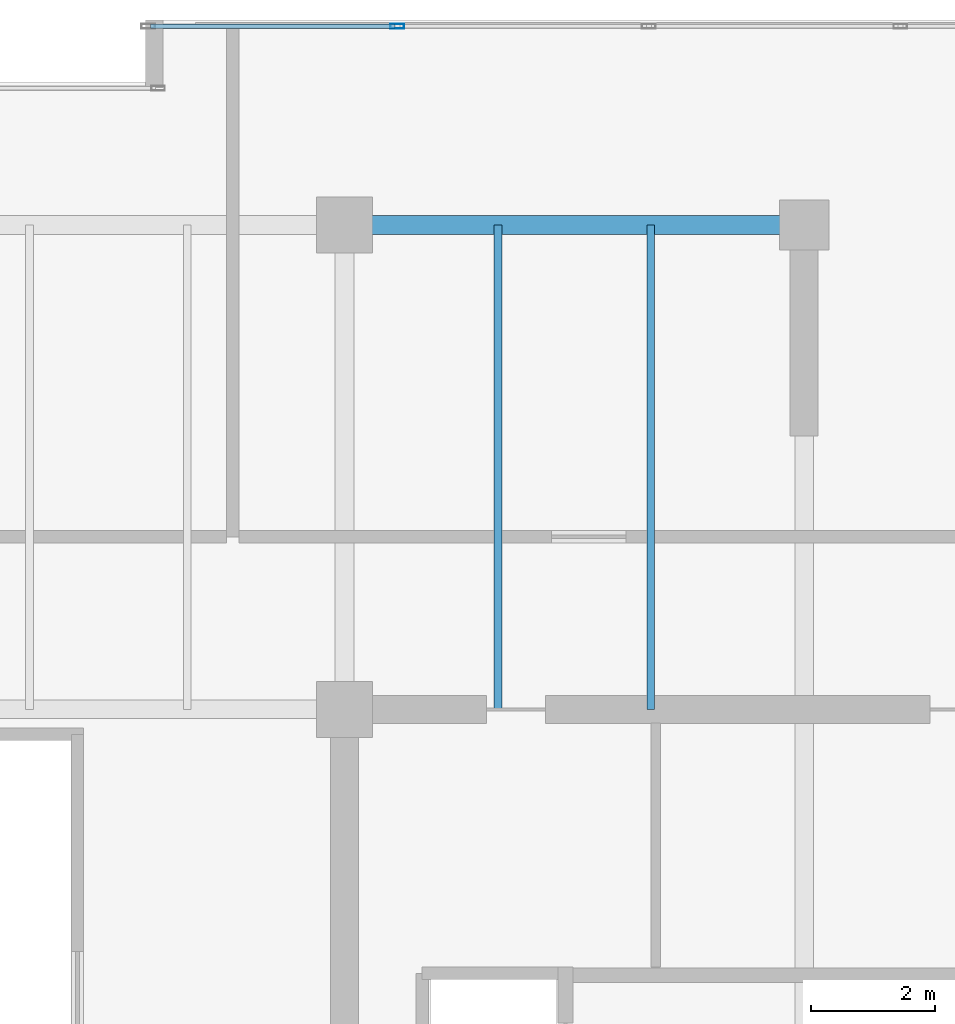
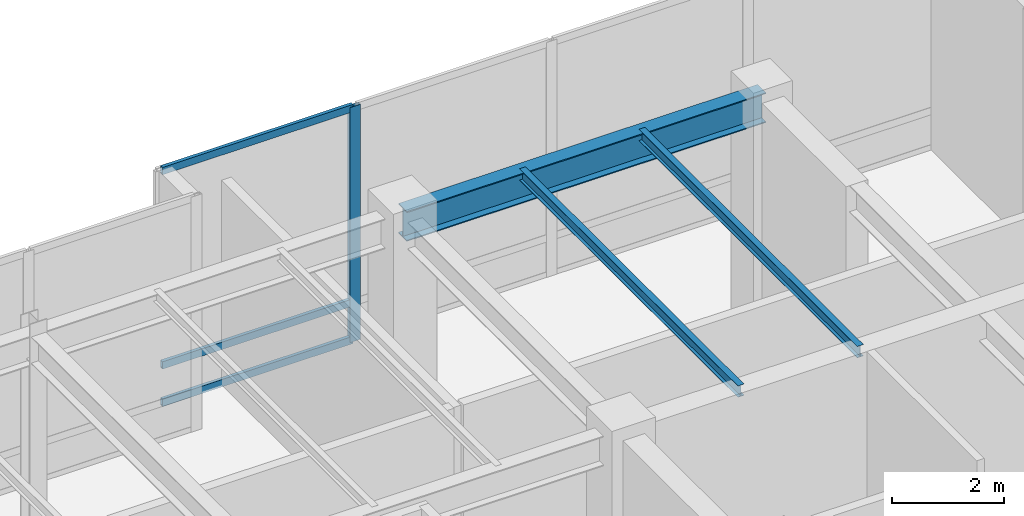
# One storey, part 21 of 30: 4 members, 3 beams, 1 element without a shape of its own.
"""IFC4 building model written with IfcOpenShell, lengths in metres."""

import ifcopenshell
import ifcopenshell.guid

model = None  # the IFC model being written
_history = None  # IfcOwnerHistory: only IFC2X3 demands one
_inside = {}  # id of a spatial element -> (the spatial element, [elements in it])
_under = {}  # id of a project, library or spatial element -> (it, [spatial elements below it])
_declared = {}  # id of a project -> (the project, [libraries it declares])
_typed = {}  # id of a type object -> (the type object, [elements of that type])
_made_of = {}  # id of a material, layer set ... -> (it, [elements and type objects made of it])


def new_model(schema):
    """Start an empty IFC model of exactly this schema.

    Asked for "IFC4X3", IfcOpenShell would pick the latest addendum, in which some entities
    have other attributes; the version numbers below select the first issue.
    IFC2X3 requires an IfcOwnerHistory on every rooted entity: one is made here for all.
    """
    global model, _history
    if schema == "IFC4X3":
        model = ifcopenshell.file(schema_version=(4, 3, 0, 0))
    else:
        model = ifcopenshell.file(schema=schema)
    _inside.clear()
    _under.clear()
    _declared.clear()
    _typed.clear()
    _made_of.clear()
    _history = None
    if model.schema == "IFC2X3":
        org = make("IfcOrganization", Name="unknown")
        user = make(
            "IfcPersonAndOrganization",
            ThePerson=make("IfcPerson", FamilyName="unknown"),
            TheOrganization=org,
        )
        app = make(
            "IfcApplication",
            ApplicationDeveloper=org,
            Version="unknown",
            ApplicationFullName="unknown",
            ApplicationIdentifier="unknown",
        )
        _history = make(
            "IfcOwnerHistory",
            OwningUser=user,
            OwningApplication=app,
            ChangeAction="ADDED",
            CreationDate=0,
        )
    return model


def make(cls, **values):
    """One entity of the class cls with the attributes given. An attribute that is None is left unset."""
    return model.create_entity(
        cls, **{name: value for name, value in values.items() if value is not None}
    )


def rooted(cls, **values):
    """An entity with a GlobalId (a new one), such as an element, a storey or a relation."""
    return make(cls, GlobalId=ifcopenshell.guid.new(), OwnerHistory=_history, **values)


def si_unit(unit_type, name, prefix=None):
    """IfcSIUnit, for example si_unit("LENGTHUNIT", "METRE", prefix="MILLI")."""
    return make("IfcSIUnit", UnitType=unit_type, Prefix=prefix, Name=name)


def assignment(units):
    """IfcUnitAssignment: the units of a project."""
    return None if units is None else make("IfcUnitAssignment", Units=units)


def point(xyz):
    """IfcCartesianPoint."""
    return None if xyz is None else make("IfcCartesianPoint", Coordinates=xyz)


def direction(xyz):
    """IfcDirection."""
    return None if xyz is None else make("IfcDirection", DirectionRatios=xyz)


def frame(location, z_axis=None, x_axis=None):
    """IfcAxis2Placement3D, a coordinate frame: its origin and axes. An axis left out is left unset."""
    return make(
        "IfcAxis2Placement3D",
        Location=point(location),
        Axis=direction(z_axis),
        RefDirection=direction(x_axis),
    )


def frame_2d(location, x_axis=None):
    """IfcAxis2Placement2D, a coordinate frame in the plane: its origin and x axis."""
    return make(
        "IfcAxis2Placement2D", Location=point(location), RefDirection=direction(x_axis)
    )


def origin():
    """The frame at (0, 0, 0) with its axes left unset."""
    return frame((0.0, 0.0, 0.0))


def origin_2d():
    """The frame at (0, 0) in the plane with its x axis left unset."""
    return frame_2d((0.0, 0.0))


def place(relative_to, where):
    """IfcLocalPlacement: puts the frame where relative to a parent placement (None: the world)."""
    return make(
        "IfcLocalPlacement", PlacementRelTo=relative_to, RelativePlacement=where
    )


def context(
    kind, dimensions, precision=None, world=None, true_north=None, identifier=None
):
    """IfcGeometricRepresentationContext, for example the 3D "Model" context."""
    return make(
        "IfcGeometricRepresentationContext",
        ContextIdentifier=identifier,
        ContextType=kind,
        CoordinateSpaceDimension=dimensions,
        Precision=precision,
        WorldCoordinateSystem=world,
        TrueNorth=true_north,
    )


def subcontext(parent, identifier, kind, view, scale=None):
    """IfcGeometricRepresentationSubContext, for example "Body" below "Model"."""
    return make(
        "IfcGeometricRepresentationSubContext",
        ContextIdentifier=identifier,
        ContextType=kind,
        ParentContext=parent,
        TargetScale=scale,
        TargetView=view,
    )


def project(units=None, contexts=None):
    """IfcProject with its units and contexts."""
    return rooted(
        "IfcProject",
        Name="project",
        RepresentationContexts=contexts,
        UnitsInContext=assignment(units),
    )


def spatial(cls, under=None, at=None, **own):
    """A site, building, storey or space (cls), placed at a placement, below another one or the project."""
    s = rooted(cls, ObjectPlacement=at, **own)
    if under is not None:
        _under.setdefault(under.id(), (under, []))[1].append(s)
    return s


def profile(cls, at=None, kind="AREA", **sizes):
    """A parametric profile (cls). Its sizes go by their IFC names, for example OverallWidth=200.0."""
    return make(cls, ProfileType=kind, Position=at, **sizes)


def hollow_rectangle(**sizes):
    """IfcRectangleHollowProfileDef."""
    return profile("IfcRectangleHollowProfileDef", **sizes)


def i_section(**sizes):
    """IfcIShapeProfileDef."""
    return profile("IfcIShapeProfileDef", **sizes)


def extrude(swept, where, along, depth):
    """IfcExtrudedAreaSolid: the profile swept, set in the frame where, extruded along a direction by depth."""
    return make(
        "IfcExtrudedAreaSolid",
        SweptArea=swept,
        Position=where,
        ExtrudedDirection=direction(along),
        Depth=depth,
    )


def shape(context_of_items, identifier, shape_type, items):
    """IfcShapeRepresentation: the items that make up one representation, for example the "Body"."""
    return make(
        "IfcShapeRepresentation",
        ContextOfItems=context_of_items,
        RepresentationIdentifier=identifier,
        RepresentationType=shape_type,
        Items=items,
    )


def source(mapping_origin, context_of_items, identifier, shape_type, items):
    """IfcRepresentationMap: a shape defined once, which mapped items show again and again."""
    return make(
        "IfcRepresentationMap",
        MappingOrigin=mapping_origin,
        MappedRepresentation=shape(context_of_items, identifier, shape_type, items),
    )


def transform(
    local_origin,
    x_axis=None,
    y_axis=None,
    z_axis=None,
    scale=None,
    scale2=None,
    scale3=None,
    uniform=True,
):
    """IfcCartesianTransformationOperator3D, or its non-uniform kind. x_axis, y_axis, z_axis: its Axis1, 2, 3."""
    if uniform:
        return make(
            "IfcCartesianTransformationOperator3D",
            Axis1=direction(x_axis),
            Axis2=direction(y_axis),
            LocalOrigin=point(local_origin),
            Scale=scale,
            Axis3=direction(z_axis),
        )
    return make(
        "IfcCartesianTransformationOperator3DnonUniform",
        Axis1=direction(x_axis),
        Axis2=direction(y_axis),
        LocalOrigin=point(local_origin),
        Scale=scale,
        Axis3=direction(z_axis),
        Scale2=scale2,
        Scale3=scale3,
    )


def mapped(mapping_source, mapping_target):
    """IfcMappedItem: shows the shape of a source again, moved by a transform."""
    return make(
        "IfcMappedItem", MappingSource=mapping_source, MappingTarget=mapping_target
    )


def material(Name=None, Category=None):
    """IfcMaterial."""
    return make("IfcMaterial", Name=Name, Category=Category)


def layer(
    of_material, thickness, ventilated=None, Name=None, Category=None, Priority=None
):
    """IfcMaterialLayer: one layer of a wall or slab, of a material (None: an air gap)."""
    return make(
        "IfcMaterialLayer",
        Material=of_material,
        LayerThickness=thickness,
        IsVentilated=ventilated,
        Name=Name,
        Category=Category,
        Priority=Priority,
    )


def layer_set(layers, Name=None):
    """IfcMaterialLayerSet."""
    return make("IfcMaterialLayerSet", MaterialLayers=layers, LayerSetName=Name)


def material_profile(
    of_material, cross_section, Name=None, Category=None, Priority=None
):
    """IfcMaterialProfile: a cross section and its material."""
    return make(
        "IfcMaterialProfile",
        Name=Name,
        Material=of_material,
        Profile=cross_section,
        Priority=Priority,
        Category=Category,
    )


def profile_set(profiles, Name=None, composite=None):
    """IfcMaterialProfileSet."""
    return make(
        "IfcMaterialProfileSet",
        Name=Name,
        MaterialProfiles=profiles,
        CompositeProfile=composite,
    )


def made_of(thing, what):
    """Note that an element or type object is made of a material, layer set ...; save() writes the relation."""
    if what is not None:
        _made_of.setdefault(what.id(), (what, []))[1].append(thing)
    return thing


def type_object(cls, material=None, **own):
    """A type object (cls), such as IfcWallType, which elements share."""
    return made_of(rooted(cls, **own), material)


def type_shapes(of_type, sources):
    """Give a type object the sources (RepresentationMaps) that its elements show as mapped items."""
    of_type.RepresentationMaps = sources


def element(
    cls,
    number,
    at=None,
    inside=None,
    cuts=None,
    type_object=None,
    material=None,
    context=None,
    identifier="Body",
    shape_type=None,
    held_by="IfcProductDefinitionShape",
    body=None,
    shapes=None,
    **own,
):
    """One element of the class cls, such as IfcWall. Its Tag is "e" and its number.

    at: its placement. inside: the storey or other place that contains it. cuts: it is an
    opening in that element (IfcRelVoidsElement). A single representation is given by context,
    identifier, shape_type and body (its items); several are given by shapes. held_by: the class
    of the entity that holds the representations. save() writes the other relations.
    """
    e = rooted(cls, Tag="e%d" % number, ObjectPlacement=at, **own)
    if body is not None:
        shapes = [shape(context, identifier, shape_type, body)]
    if shapes is not None:
        e.Representation = make(held_by, Representations=shapes)
    if inside is not None:
        _inside.setdefault(inside.id(), (inside, []))[1].append(e)
    if cuts is not None:
        rooted(
            "IfcRelVoidsElement", RelatingBuildingElement=cuts, RelatedOpeningElement=e
        )
    if type_object is not None:
        _typed.setdefault(type_object.id(), (type_object, []))[1].append(e)
    return made_of(e, material)


def aggregate(whole, parts):
    """IfcRelAggregates: a whole, such as a stair, and the parts it consists of."""
    return rooted("IfcRelAggregates", RelatingObject=whole, RelatedObjects=parts)


def save(model, path):
    """Write the relations noted so far, then the file.

    IfcRelAggregates (storeys below a building ...), IfcRelContainedInSpatialStructure (elements
    in a storey), IfcRelDefinesByType, IfcRelAssociatesMaterial and IfcRelDeclares: one each for
    every whole, place, type object, material and project.
    """
    for whole, parts in _under.values():
        aggregate(whole, parts)
    for where, things in _inside.values():
        rooted(
            "IfcRelContainedInSpatialStructure",
            RelatedElements=things,
            RelatingStructure=where,
        )
    for kind, things in _typed.values():
        rooted("IfcRelDefinesByType", RelatedObjects=things, RelatingType=kind)
    for what, things in _made_of.values():
        rooted("IfcRelAssociatesMaterial", RelatedObjects=things, RelatingMaterial=what)
    for by, libraries in _declared.values():
        rooted("IfcRelDeclares", RelatingContext=by, RelatedDefinitions=libraries)
    model.write(path)


model = new_model("IFC4")

# Units and contexts
model_context = context("Model", 3, precision=1e-05, world=origin(), true_north=direction((0.0, 1.0)))
body_context = subcontext(model_context, "Body", "Model", "MODEL_VIEW")
ifc_project = project(units=[si_unit("LENGTHUNIT", "METRE"), si_unit("AREAUNIT", "SQUARE_METRE"), si_unit("VOLUMEUNIT", "CUBIC_METRE"), si_unit("PLANEANGLEUNIT", "RADIAN"), si_unit("MASSUNIT", "GRAM", prefix="KILO")], contexts=[model_context])

# Site, building, storey
site_placement = place(None, origin())
site = spatial("IfcSite", under=ifc_project, at=site_placement, CompositionType="ELEMENT")
building_placement = place(site_placement, origin())
building = spatial("IfcBuilding", under=site, at=building_placement, Name="Haelvirn Gate Laboratories", CompositionType="ELEMENT")
storey_placement = place(building_placement, frame((0.0, 0.0, 327.0)))
storey = spatial("IfcBuildingStorey", under=building, at=storey_placement, Name="L78", CompositionType="ELEMENT", Elevation=327.0)

# Beams
ifc_material_1 = material(Name="Steel SM355", Category="steel")
ifc_material_profile_1 = material_profile(ifc_material_1, i_section(OverallWidth=0.300048828125, OverallDepth=0.64990234375, WebThickness=0.012939453125, FlangeThickness=0.02197265625, at=origin_2d()), Name="H-650x300x13x22")
ifc_profile_set_1 = profile_set([ifc_material_profile_1], Name="Steel SM355")
beam_type_1 = type_object("IfcBeamType", Name="BM-G-650", PredefinedType="BEAM", material=ifc_profile_set_1)
shared_shape_1 = source(origin(), body_context, "Body", "SweptSolid", [
    extrude(i_section(OverallWidth=0.300048828125, OverallDepth=0.64990234375, WebThickness=0.012939453125, FlangeThickness=0.02197265625, at=origin_2d()), origin(), (0.0, 0.0, 1.0), 7.39990234375),
])
type_shapes(beam_type_1, [shared_shape_1])
beam_placement = place(storey_placement, frame((52.60009765625, 41.60009765625, 4.794921875), z_axis=(1.0, 0.0, 0.0), x_axis=(0.0, 1.0, 0.0)))
element("IfcBeam", 1, at=beam_placement, inside=storey, type_object=beam_type_1, Name="L78 Primary Girder Y41.6 (52.6-60.0)", PredefinedType="BEAM", context=body_context, shape_type="MappedRepresentation", body=[
    mapped(shared_shape_1, transform((0.0, 0.0, 0.0), scale=1.0)),
])
ifc_material_profile_2 = material_profile(ifc_material_1, i_section(OverallWidth=0.125, OverallDepth=0.25, WebThickness=0.006103515625, FlangeThickness=0.009033203125, at=origin_2d()), Name="H-250x125x6x9")
ifc_profile_set_2 = profile_set([ifc_material_profile_2], Name="Steel SM355")
beam_type_2 = type_object("IfcBeamType", Name="BM-J-250", PredefinedType="JOIST", material=ifc_profile_set_2)
shared_shape_2 = source(origin(), body_context, "Body", "SweptSolid", [
    extrude(i_section(OverallWidth=0.125, OverallDepth=0.25, WebThickness=0.006103515625, FlangeThickness=0.009033203125, at=origin_2d()), origin(), (0.0, 0.0, 1.0), 7.800048828125),
])
type_shapes(beam_type_2, [shared_shape_2])
for number, where, z_axis, x_axis, name in (
    (2, (55.070068359375, 33.800048828125, 4.9951171875), (0.0, 1.0, 0.0), (-1.0, 0.0, 0.0), "L78 Composite Lab Joist North X55.07"),
    (3, (57.530029296875, 33.800048828125, 4.9951171875), (0.0, 1.0, 0.0), (-1.0, 0.0, 0.0), "L78 Composite Lab Joist North X57.53"),
):
    element("IfcBeam", number, at=place(storey_placement, frame(where, z_axis=z_axis, x_axis=x_axis)), inside=storey, type_object=beam_type_2, Name=name, PredefinedType="JOIST", context=body_context, shape_type="MappedRepresentation", body=[
        mapped(shared_shape_2, transform((0.0, 0.0, 0.0), scale=1.0)),
    ])

# Curtain wall, members
ifc_material_2 = material(Name="Anodised bronze unitised aluminium & triple low-E glass", Category="aluminium")
ifc_layer = layer(ifc_material_2, 0.19189453125, Name="CW-SYS-6")
ifc_layer_set = layer_set([ifc_layer], Name="Anodised bronze unitised aluminium & triple low-E glass")
curtain_wall_type = type_object("IfcCurtainWallType", Name="CW-SYS-6", PredefinedType="NOTDEFINED", material=ifc_layer_set)
curtain_wall_placement = place(storey_placement, origin())
curtain_wall = element("IfcCurtainWall", 4, at=curtain_wall_placement, inside=storey, type_object=curtain_wall_type, Name="L78 Unitised Curtain Wall CW-L78-P0-E10-1", PredefinedType="NOTDEFINED")
ifc_material_3 = material(Name="Extruded aluminium 6063-T6 (anodised bronze)", Category="aluminium")
ifc_material_profile_3 = material_profile(ifc_material_3, hollow_rectangle(XDim=0.080078125, YDim=0.219970703125, WallThickness=0.006103515625, at=origin_2d()), Name="CWM-220x80x6")
ifc_profile_set_3 = profile_set([ifc_material_profile_3], Name="Extruded aluminium 6063-T6 (anodised bronze)")
member_type_1 = type_object("IfcMemberType", Name="CWM-T220", PredefinedType="MULLION", material=ifc_profile_set_3)
shared_shape_3 = source(origin(), body_context, "Body", "SweptSolid", [
    extrude(hollow_rectangle(XDim=0.080078125, YDim=0.219970703125, WallThickness=0.006103515625, at=origin_2d()), origin(), (0.0, 0.0, 1.0), 5.1201171875),
])
type_shapes(member_type_1, [shared_shape_3])
member_1_placement = place(storey_placement, frame((53.449951171875, 44.800048828125, 0.0), z_axis=(0.0, 0.0, 1.0), x_axis=(0.0, 1.0, 0.0)))
member_1 = element("IfcMember", 5, at=member_1_placement, type_object=member_type_1, Name="CW6 mullion 2", PredefinedType="MULLION", context=body_context, shape_type="MappedRepresentation", body=[
    mapped(shared_shape_3, transform((0.0, 0.0, 0.0), scale=1.0)),
])
ifc_material_profile_4 = material_profile(ifc_material_3, hollow_rectangle(XDim=0.070068359375, YDim=0.159912109375, WallThickness=0.0048828125, at=origin_2d()), Name="CWT-160x70x5")
ifc_profile_set_4 = profile_set([ifc_material_profile_4], Name="Extruded aluminium 6063-T6 (anodised bronze)")
member_type_2 = type_object("IfcMemberType", Name="CWT-T160", PredefinedType="USERDEFINED", material=ifc_profile_set_4)
shared_shape_4 = source(origin(), body_context, "Body", "SweptSolid", [
    extrude(hollow_rectangle(XDim=0.070068359375, YDim=0.159912109375, WallThickness=0.0048828125, at=origin_2d()), origin(), (0.0, 0.0, 1.0), 3.929931640625),
])
type_shapes(member_type_2, [shared_shape_4])
member_2_placement = place(storey_placement, frame((49.47998046875, 44.800048828125, 0.034912109375), z_axis=(1.0, 0.0, 0.0), x_axis=(0.0, 1.0, 0.0)))
member_2 = element("IfcMember", 6, at=member_2_placement, type_object=member_type_2, Name="CW6 transom 1.1", ObjectType="TRANSOM", PredefinedType="USERDEFINED", context=body_context, shape_type="MappedRepresentation", body=[
    mapped(shared_shape_4, transform((0.0, 0.0, 0.0), scale=1.0)),
])
member_3_placement = place(storey_placement, frame((49.47998046875, 44.800048828125, 0.85009765625), z_axis=(1.0, 0.0, 0.0), x_axis=(0.0, 1.0, 0.0)))
member_3 = element("IfcMember", 7, at=member_3_placement, type_object=member_type_2, Name="CW6 transom 1.2", ObjectType="TRANSOM", PredefinedType="USERDEFINED", context=body_context, shape_type="MappedRepresentation", body=[
    mapped(shared_shape_4, transform((0.0, 0.0, 0.0), scale=1.0)),
])
member_4_placement = place(storey_placement, frame((49.47998046875, 44.800048828125, 5.0849609375), z_axis=(1.0, 0.0, 0.0), x_axis=(0.0, 1.0, 0.0)))
member_4 = element("IfcMember", 8, at=member_4_placement, type_object=member_type_2, Name="CW6 transom 1.3", ObjectType="TRANSOM", PredefinedType="USERDEFINED", context=body_context, shape_type="MappedRepresentation", body=[
    mapped(shared_shape_4, transform((0.0, 0.0, 0.0), scale=1.0)),
])
aggregate(curtain_wall, [member_1, member_2, member_3, member_4])

save(model, "model.ifc")
